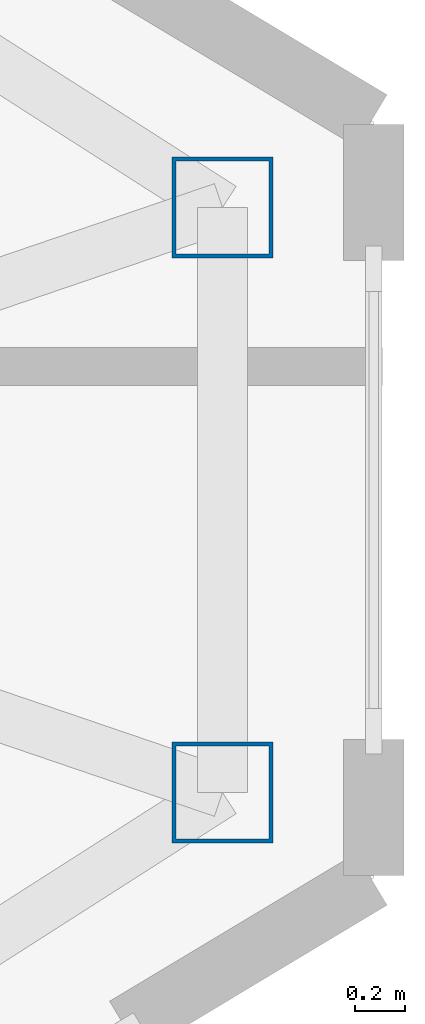
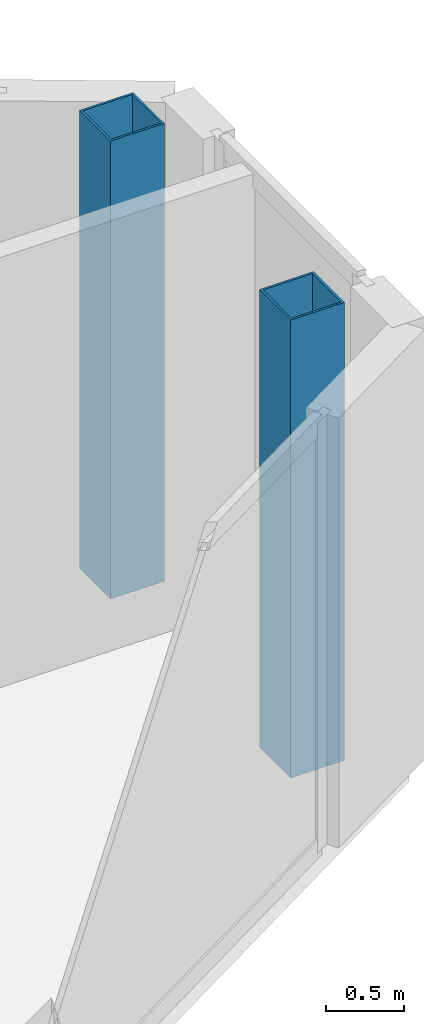
# One storey, part 4 of 25: 2 columns.
"""IFC4 building model written with IfcOpenShell, lengths in metres."""

from ifc_helpers import new_model, si_unit, direction, frame, origin, origin_2d, place, context, subcontext, project, spatial, hollow_rectangle, extrude, source, transform, mapped, material, material_profile, profile_set, type_object, type_shapes, element, save


model = new_model("IFC4")

# Units and contexts
model_context = context("Model", 3, precision=1e-05, world=origin(), true_north=direction((0.0, 1.0)))
body_context = subcontext(model_context, "Body", "Model", "MODEL_VIEW")
ifc_project = project(units=[si_unit("LENGTHUNIT", "METRE"), si_unit("AREAUNIT", "SQUARE_METRE"), si_unit("VOLUMEUNIT", "CUBIC_METRE"), si_unit("PLANEANGLEUNIT", "RADIAN"), si_unit("MASSUNIT", "GRAM", prefix="KILO")], contexts=[model_context])

# Site, building, storey
site_placement = place(None, origin())
site = spatial("IfcSite", under=ifc_project, at=site_placement, CompositionType="ELEMENT")
building_placement = place(site_placement, origin())
building = spatial("IfcBuilding", under=site, at=building_placement, Name="Seokmaru Belvedere", CompositionType="ELEMENT")
storey_placement = place(building_placement, frame((0.0, 0.0, 213.89990234375)))
storey = spatial("IfcBuildingStorey", under=building, at=storey_placement, Name="L57", CompositionType="ELEMENT", Elevation=213.89990234375)

# Columns
ifc_material = material(Name="Steel SM355 (355 MPa)", Category="steel")
ifc_material_profile = material_profile(ifc_material, hollow_rectangle(XDim=0.39990234375, YDim=0.39990234375, WallThickness=0.01611328125, at=origin_2d()), Name="HSS-400x400x16")
ifc_profile_set = profile_set([ifc_material_profile], Name="Steel SM355 (355 MPa)")
column_type = type_object("IfcColumnType", Name="Perimeter Facet Column HSS-400", PredefinedType="COLUMN", material=ifc_profile_set)
shared_shape = source(origin(), body_context, "Body", "SweptSolid", [
    extrude(hollow_rectangle(XDim=0.39990234375, YDim=0.39990234375, WallThickness=0.01611328125, at=origin_2d()), origin(), (0.0, 0.0, 1.0), 3.60009765625),
])
type_shapes(column_type, [shared_shape])
for number, where, z_axis, x_axis, name in (
    (1, (66.89990234375, -1.160400390625, 0.0), (0.0, 0.0, 1.0), (1.0, 0.0, 0.0), "L57 Column EF2"),
    (2, (66.89990234375, 1.160400390625, 0.0), (0.0, 0.0, 1.0), (1.0, 0.0, 0.0), "L57 Column EF3"),
):
    element("IfcColumn", number, at=place(storey_placement, frame(where, z_axis=z_axis, x_axis=x_axis)), inside=storey, type_object=column_type, Name=name, PredefinedType="COLUMN", context=body_context, shape_type="MappedRepresentation", body=[
        mapped(shared_shape, transform((0.0, 0.0, 0.0), scale=1.0)),
    ])

save(model, "model.ifc")
